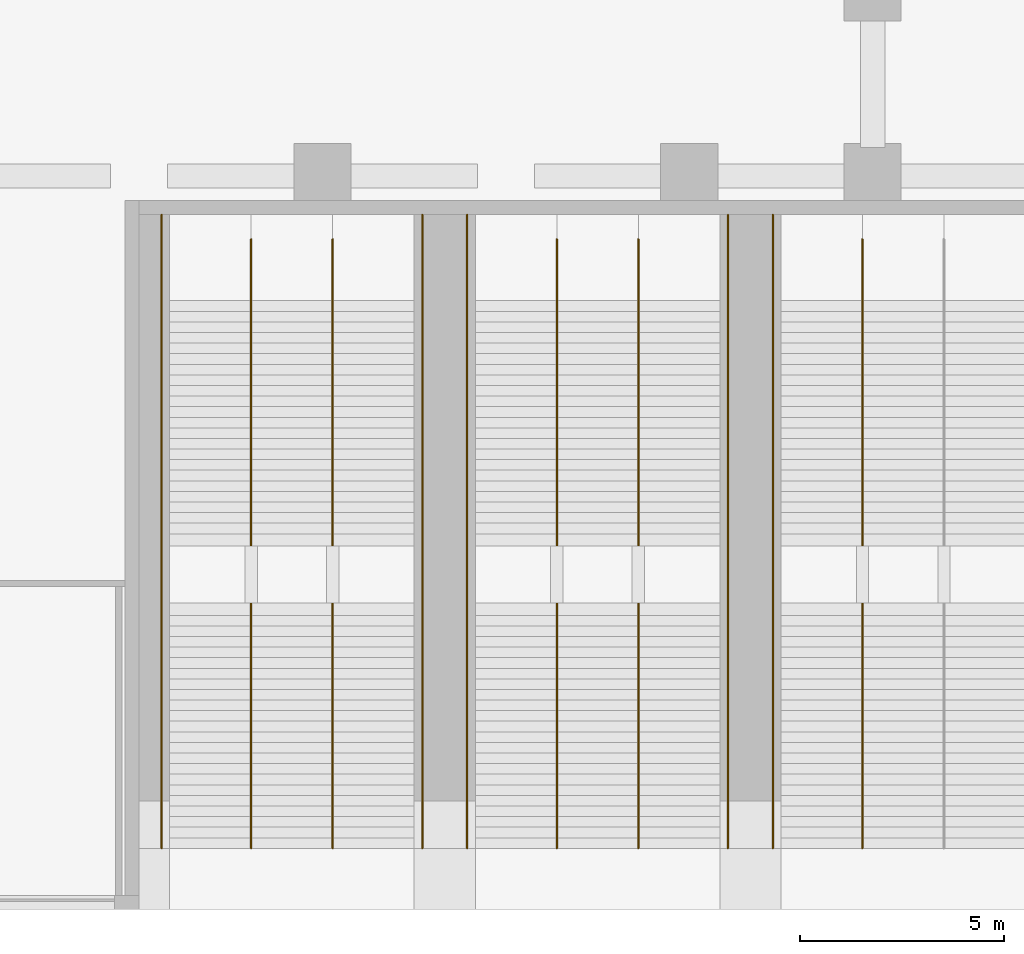
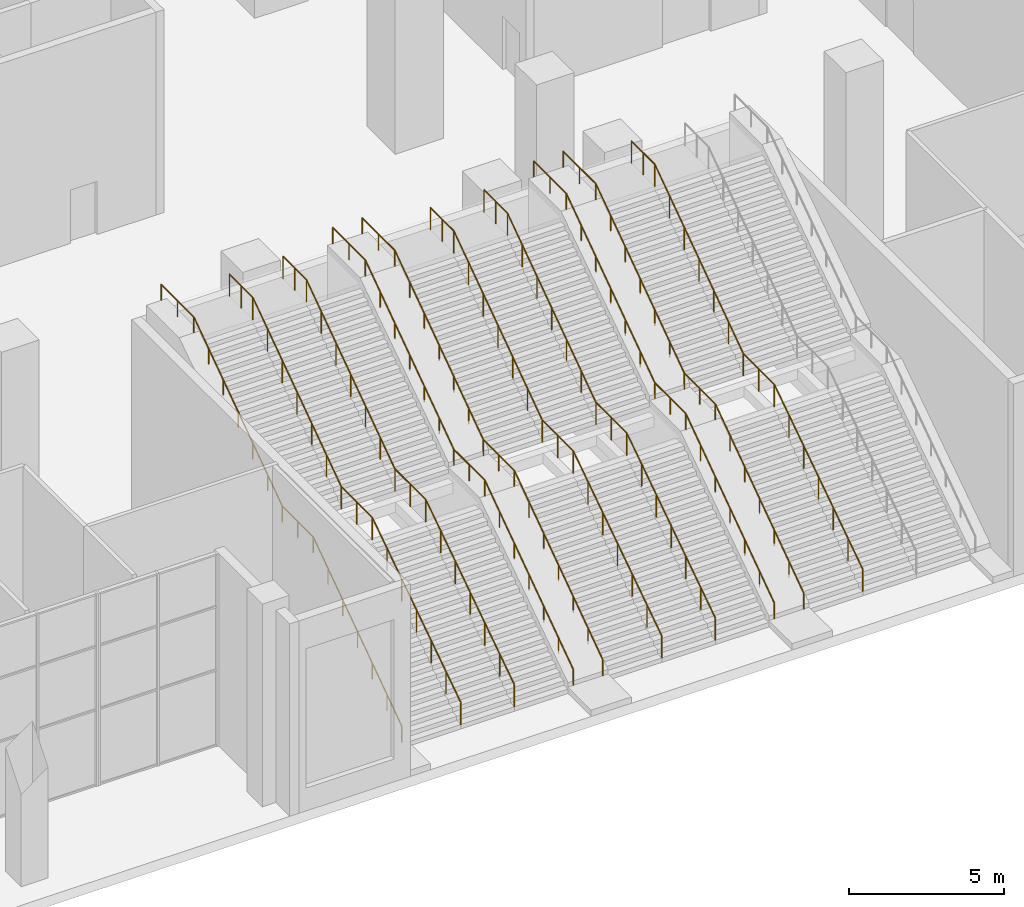
# One storey, part 29 of 32: 10 railings.
"""IFC4 building model written with IfcOpenShell, lengths in metres."""

from ifc_helpers import new_model, si_unit, direction, frame, origin, origin_2d, place, context, subcontext, project, spatial, circle, extrude, material, type_object, element, save


model = new_model("IFC4")

# Units and contexts
model_context = context("Model", 3, precision=1e-05, world=origin(), true_north=direction((0.0, 1.0)))
body_context = subcontext(model_context, "Body", "Model", "MODEL_VIEW")
ifc_project = project(units=[si_unit("LENGTHUNIT", "METRE"), si_unit("AREAUNIT", "SQUARE_METRE"), si_unit("VOLUMEUNIT", "CUBIC_METRE"), si_unit("PLANEANGLEUNIT", "RADIAN"), si_unit("MASSUNIT", "GRAM", prefix="KILO")], contexts=[model_context])

# Site, building, storey
site_placement = place(None, origin())
site = spatial("IfcSite", under=ifc_project, at=site_placement, CompositionType="ELEMENT")
building_placement = place(site_placement, origin())
building = spatial("IfcBuilding", under=site, at=building_placement, Name="Quoin Convention Tower", CompositionType="ELEMENT")
storey_placement = place(building_placement, origin())
storey = spatial("IfcBuildingStorey", under=building, at=storey_placement, Name="L00", CompositionType="ELEMENT", Elevation=0.0)

# Railings
ifc_material = material(Name="Stainless steel", Category="steel")
railing_type_1 = type_object("IfcRailingType", Name="Handrail 900", PredefinedType="HANDRAIL", material=ifc_material)
railing_1_placement = place(storey_placement, frame((43.25, 1.5, 0.173828125)))
element("IfcRailing", 1, at=railing_1_placement, inside=storey, type_object=railing_type_1, Name="bst-rail-1C1", PredefinedType="HANDRAIL", context=body_context, shape_type="SweptSolid", body=[
    extrude(circle(Radius=0.02392578125, at=origin_2d()), frame((0.0, 0.0, 0.8759765625), z_axis=(0.0, 0.831186928685, 0.555993066129), x_axis=(-1.0, 0.0, 0.0)), (0.0, 0.0, 1.0), 6.881591796875),
    extrude(circle(Radius=0.02392578125, at=origin_2d()), frame((0.0, 5.719970703125, 4.7021484375), z_axis=(0.0, 1.0, 0.0), x_axis=(-1.0, 0.0, 0.0)), (0.0, 0.0, 1.0), 2.0),
    extrude(circle(Radius=0.02392578125, at=origin_2d()), frame((0.0, 7.719970703125, 4.7021484375), z_axis=(0.0, 0.81949968286, 0.573079636518), x_axis=(-1.0, 0.0, 0.0)), (0.0, 0.0, 1.0), 6.979736328125),
    extrude(circle(Radius=0.02392578125, at=origin_2d()), frame((0.0, 13.43994140625, 8.7021484375), z_axis=(0.0, 1.0, 0.0), x_axis=(-1.0, 0.0, 0.0)), (0.0, 0.0, 1.0), 1.510009765625),
    extrude(circle(Radius=0.02099609375, at=origin_2d()), origin(), (0.0, 0.0, 1.0), 0.851806640625),
    extrude(circle(Radius=0.02099609375, at=origin_2d()), frame((0.0, 0.953369140625, 0.6376953125)), (0.0, 0.0, 1.0), 0.851806640625),
    extrude(circle(Radius=0.02099609375, at=origin_2d()), frame((0.0, 1.90673828125, 1.275390625)), (0.0, 0.0, 1.0), 0.851806640625),
    extrude(circle(Radius=0.02099609375, at=origin_2d()), frame((0.0, 2.85986328125, 1.9130859375)), (0.0, 0.0, 1.0), 0.851806640625),
    extrude(circle(Radius=0.02099609375, at=origin_2d()), frame((0.0, 3.813232421875, 2.55078125)), (0.0, 0.0, 1.0), 0.851806640625),
    extrude(circle(Radius=0.02099609375, at=origin_2d()), frame((0.0, 4.7666015625, 3.1884765625)), (0.0, 0.0, 1.0), 0.851806640625),
    extrude(circle(Radius=0.02099609375, at=origin_2d()), frame((0.0, 5.719970703125, 3.826171875)), (0.0, 0.0, 1.0), 0.851806640625),
    extrude(circle(Radius=0.02099609375, at=origin_2d()), frame((0.0, 6.719970703125, 3.826171875)), (0.0, 0.0, 1.0), 0.851806640625),
    extrude(circle(Radius=0.02099609375, at=origin_2d()), frame((0.0, 7.719970703125, 3.826171875)), (0.0, 0.0, 1.0), 0.851806640625),
    extrude(circle(Radius=0.02099609375, at=origin_2d()), frame((0.0, 8.67333984375, 4.492919921875)), (0.0, 0.0, 1.0), 0.851806640625),
    extrude(circle(Radius=0.02099609375, at=origin_2d()), frame((0.0, 9.626708984375, 5.159423828125)), (0.0, 0.0, 1.0), 0.851806640625),
    extrude(circle(Radius=0.02099609375, at=origin_2d()), frame((0.0, 10.580078125, 5.826171875)), (0.0, 0.0, 1.0), 0.851806640625),
    extrude(circle(Radius=0.02099609375, at=origin_2d()), frame((0.0, 11.533203125, 6.492919921875)), (0.0, 0.0, 1.0), 0.851806640625),
    extrude(circle(Radius=0.02099609375, at=origin_2d()), frame((0.0, 12.486572265625, 7.159423828125)), (0.0, 0.0, 1.0), 0.851806640625),
    extrude(circle(Radius=0.02099609375, at=origin_2d()), frame((0.0, 13.43994140625, 7.826171875)), (0.0, 0.0, 1.0), 0.851806640625),
    extrude(circle(Radius=0.02099609375, at=origin_2d()), frame((0.0, 14.19482421875, 7.826171875)), (0.0, 0.0, 1.0), 0.851806640625),
    extrude(circle(Radius=0.02099609375, at=origin_2d()), frame((0.0, 14.949951171875, 7.826171875)), (0.0, 0.0, 1.0), 0.851806640625),
])
railing_2_placement = place(storey_placement, frame((45.25, 1.5, 0.173828125)))
element("IfcRailing", 2, at=railing_2_placement, inside=storey, type_object=railing_type_1, Name="bst-rail-1C2", PredefinedType="HANDRAIL", context=body_context, shape_type="SweptSolid", body=[
    extrude(circle(Radius=0.02392578125, at=origin_2d()), frame((0.0, 0.0, 0.8759765625), z_axis=(0.0, 0.831186928685, 0.555993066129), x_axis=(-1.0, 0.0, 0.0)), (0.0, 0.0, 1.0), 6.881591796875),
    extrude(circle(Radius=0.02392578125, at=origin_2d()), frame((0.0, 5.719970703125, 4.7021484375), z_axis=(0.0, 1.0, 0.0), x_axis=(-1.0, 0.0, 0.0)), (0.0, 0.0, 1.0), 2.0),
    extrude(circle(Radius=0.02392578125, at=origin_2d()), frame((0.0, 7.719970703125, 4.7021484375), z_axis=(0.0, 0.81949968286, 0.573079636518), x_axis=(-1.0, 0.0, 0.0)), (0.0, 0.0, 1.0), 6.979736328125),
    extrude(circle(Radius=0.02392578125, at=origin_2d()), frame((0.0, 13.43994140625, 8.7021484375), z_axis=(0.0, 1.0, 0.0), x_axis=(-1.0, 0.0, 0.0)), (0.0, 0.0, 1.0), 1.510009765625),
    extrude(circle(Radius=0.02099609375, at=origin_2d()), origin(), (0.0, 0.0, 1.0), 0.851806640625),
    extrude(circle(Radius=0.02099609375, at=origin_2d()), frame((0.0, 0.953369140625, 0.6376953125)), (0.0, 0.0, 1.0), 0.851806640625),
    extrude(circle(Radius=0.02099609375, at=origin_2d()), frame((0.0, 1.90673828125, 1.275390625)), (0.0, 0.0, 1.0), 0.851806640625),
    extrude(circle(Radius=0.02099609375, at=origin_2d()), frame((0.0, 2.85986328125, 1.9130859375)), (0.0, 0.0, 1.0), 0.851806640625),
    extrude(circle(Radius=0.02099609375, at=origin_2d()), frame((0.0, 3.813232421875, 2.55078125)), (0.0, 0.0, 1.0), 0.851806640625),
    extrude(circle(Radius=0.02099609375, at=origin_2d()), frame((0.0, 4.7666015625, 3.1884765625)), (0.0, 0.0, 1.0), 0.851806640625),
    extrude(circle(Radius=0.02099609375, at=origin_2d()), frame((0.0, 5.719970703125, 3.826171875)), (0.0, 0.0, 1.0), 0.851806640625),
    extrude(circle(Radius=0.02099609375, at=origin_2d()), frame((0.0, 6.719970703125, 3.826171875)), (0.0, 0.0, 1.0), 0.851806640625),
    extrude(circle(Radius=0.02099609375, at=origin_2d()), frame((0.0, 7.719970703125, 3.826171875)), (0.0, 0.0, 1.0), 0.851806640625),
    extrude(circle(Radius=0.02099609375, at=origin_2d()), frame((0.0, 8.67333984375, 4.492919921875)), (0.0, 0.0, 1.0), 0.851806640625),
    extrude(circle(Radius=0.02099609375, at=origin_2d()), frame((0.0, 9.626708984375, 5.159423828125)), (0.0, 0.0, 1.0), 0.851806640625),
    extrude(circle(Radius=0.02099609375, at=origin_2d()), frame((0.0, 10.580078125, 5.826171875)), (0.0, 0.0, 1.0), 0.851806640625),
    extrude(circle(Radius=0.02099609375, at=origin_2d()), frame((0.0, 11.533203125, 6.492919921875)), (0.0, 0.0, 1.0), 0.851806640625),
    extrude(circle(Radius=0.02099609375, at=origin_2d()), frame((0.0, 12.486572265625, 7.159423828125)), (0.0, 0.0, 1.0), 0.851806640625),
    extrude(circle(Radius=0.02099609375, at=origin_2d()), frame((0.0, 13.43994140625, 7.826171875)), (0.0, 0.0, 1.0), 0.851806640625),
    extrude(circle(Radius=0.02099609375, at=origin_2d()), frame((0.0, 14.19482421875, 7.826171875)), (0.0, 0.0, 1.0), 0.851806640625),
    extrude(circle(Radius=0.02099609375, at=origin_2d()), frame((0.0, 14.949951171875, 7.826171875)), (0.0, 0.0, 1.0), 0.851806640625),
])
railing_3_placement = place(storey_placement, frame((50.75, 1.5, 0.173828125)))
element("IfcRailing", 3, at=railing_3_placement, inside=storey, type_object=railing_type_1, Name="bst-rail-2C1", PredefinedType="HANDRAIL", context=body_context, shape_type="SweptSolid", body=[
    extrude(circle(Radius=0.02392578125, at=origin_2d()), frame((0.0, 0.0, 0.8759765625), z_axis=(0.0, 0.831186928685, 0.555993066129), x_axis=(-1.0, 0.0, 0.0)), (0.0, 0.0, 1.0), 6.881591796875),
    extrude(circle(Radius=0.02392578125, at=origin_2d()), frame((0.0, 5.719970703125, 4.7021484375), z_axis=(0.0, 1.0, 0.0), x_axis=(-1.0, 0.0, 0.0)), (0.0, 0.0, 1.0), 2.0),
    extrude(circle(Radius=0.02392578125, at=origin_2d()), frame((0.0, 7.719970703125, 4.7021484375), z_axis=(0.0, 0.81949968286, 0.573079636518), x_axis=(-1.0, 0.0, 0.0)), (0.0, 0.0, 1.0), 6.979736328125),
    extrude(circle(Radius=0.02392578125, at=origin_2d()), frame((0.0, 13.43994140625, 8.7021484375), z_axis=(0.0, 1.0, 0.0), x_axis=(-1.0, 0.0, 0.0)), (0.0, 0.0, 1.0), 1.510009765625),
    extrude(circle(Radius=0.02099609375, at=origin_2d()), origin(), (0.0, 0.0, 1.0), 0.851806640625),
    extrude(circle(Radius=0.02099609375, at=origin_2d()), frame((0.0, 0.953369140625, 0.6376953125)), (0.0, 0.0, 1.0), 0.851806640625),
    extrude(circle(Radius=0.02099609375, at=origin_2d()), frame((0.0, 1.90673828125, 1.275390625)), (0.0, 0.0, 1.0), 0.851806640625),
    extrude(circle(Radius=0.02099609375, at=origin_2d()), frame((0.0, 2.85986328125, 1.9130859375)), (0.0, 0.0, 1.0), 0.851806640625),
    extrude(circle(Radius=0.02099609375, at=origin_2d()), frame((0.0, 3.813232421875, 2.55078125)), (0.0, 0.0, 1.0), 0.851806640625),
    extrude(circle(Radius=0.02099609375, at=origin_2d()), frame((0.0, 4.7666015625, 3.1884765625)), (0.0, 0.0, 1.0), 0.851806640625),
    extrude(circle(Radius=0.02099609375, at=origin_2d()), frame((0.0, 5.719970703125, 3.826171875)), (0.0, 0.0, 1.0), 0.851806640625),
    extrude(circle(Radius=0.02099609375, at=origin_2d()), frame((0.0, 6.719970703125, 3.826171875)), (0.0, 0.0, 1.0), 0.851806640625),
    extrude(circle(Radius=0.02099609375, at=origin_2d()), frame((0.0, 7.719970703125, 3.826171875)), (0.0, 0.0, 1.0), 0.851806640625),
    extrude(circle(Radius=0.02099609375, at=origin_2d()), frame((0.0, 8.67333984375, 4.492919921875)), (0.0, 0.0, 1.0), 0.851806640625),
    extrude(circle(Radius=0.02099609375, at=origin_2d()), frame((0.0, 9.626708984375, 5.159423828125)), (0.0, 0.0, 1.0), 0.851806640625),
    extrude(circle(Radius=0.02099609375, at=origin_2d()), frame((0.0, 10.580078125, 5.826171875)), (0.0, 0.0, 1.0), 0.851806640625),
    extrude(circle(Radius=0.02099609375, at=origin_2d()), frame((0.0, 11.533203125, 6.492919921875)), (0.0, 0.0, 1.0), 0.851806640625),
    extrude(circle(Radius=0.02099609375, at=origin_2d()), frame((0.0, 12.486572265625, 7.159423828125)), (0.0, 0.0, 1.0), 0.851806640625),
    extrude(circle(Radius=0.02099609375, at=origin_2d()), frame((0.0, 13.43994140625, 7.826171875)), (0.0, 0.0, 1.0), 0.851806640625),
    extrude(circle(Radius=0.02099609375, at=origin_2d()), frame((0.0, 14.19482421875, 7.826171875)), (0.0, 0.0, 1.0), 0.851806640625),
    extrude(circle(Radius=0.02099609375, at=origin_2d()), frame((0.0, 14.949951171875, 7.826171875)), (0.0, 0.0, 1.0), 0.851806640625),
])
railing_4_placement = place(storey_placement, frame((52.75, 1.5, 0.173828125)))
element("IfcRailing", 4, at=railing_4_placement, inside=storey, type_object=railing_type_1, Name="bst-rail-2C2", PredefinedType="HANDRAIL", context=body_context, shape_type="SweptSolid", body=[
    extrude(circle(Radius=0.02392578125, at=origin_2d()), frame((0.0, 0.0, 0.8759765625), z_axis=(0.0, 0.831186928685, 0.555993066129), x_axis=(-1.0, 0.0, 0.0)), (0.0, 0.0, 1.0), 6.881591796875),
    extrude(circle(Radius=0.02392578125, at=origin_2d()), frame((0.0, 5.719970703125, 4.7021484375), z_axis=(0.0, 1.0, 0.0), x_axis=(-1.0, 0.0, 0.0)), (0.0, 0.0, 1.0), 2.0),
    extrude(circle(Radius=0.02392578125, at=origin_2d()), frame((0.0, 7.719970703125, 4.7021484375), z_axis=(0.0, 0.81949968286, 0.573079636518), x_axis=(-1.0, 0.0, 0.0)), (0.0, 0.0, 1.0), 6.979736328125),
    extrude(circle(Radius=0.02392578125, at=origin_2d()), frame((0.0, 13.43994140625, 8.7021484375), z_axis=(0.0, 1.0, 0.0), x_axis=(-1.0, 0.0, 0.0)), (0.0, 0.0, 1.0), 1.510009765625),
    extrude(circle(Radius=0.02099609375, at=origin_2d()), origin(), (0.0, 0.0, 1.0), 0.851806640625),
    extrude(circle(Radius=0.02099609375, at=origin_2d()), frame((0.0, 0.953369140625, 0.6376953125)), (0.0, 0.0, 1.0), 0.851806640625),
    extrude(circle(Radius=0.02099609375, at=origin_2d()), frame((0.0, 1.90673828125, 1.275390625)), (0.0, 0.0, 1.0), 0.851806640625),
    extrude(circle(Radius=0.02099609375, at=origin_2d()), frame((0.0, 2.85986328125, 1.9130859375)), (0.0, 0.0, 1.0), 0.851806640625),
    extrude(circle(Radius=0.02099609375, at=origin_2d()), frame((0.0, 3.813232421875, 2.55078125)), (0.0, 0.0, 1.0), 0.851806640625),
    extrude(circle(Radius=0.02099609375, at=origin_2d()), frame((0.0, 4.7666015625, 3.1884765625)), (0.0, 0.0, 1.0), 0.851806640625),
    extrude(circle(Radius=0.02099609375, at=origin_2d()), frame((0.0, 5.719970703125, 3.826171875)), (0.0, 0.0, 1.0), 0.851806640625),
    extrude(circle(Radius=0.02099609375, at=origin_2d()), frame((0.0, 6.719970703125, 3.826171875)), (0.0, 0.0, 1.0), 0.851806640625),
    extrude(circle(Radius=0.02099609375, at=origin_2d()), frame((0.0, 7.719970703125, 3.826171875)), (0.0, 0.0, 1.0), 0.851806640625),
    extrude(circle(Radius=0.02099609375, at=origin_2d()), frame((0.0, 8.67333984375, 4.492919921875)), (0.0, 0.0, 1.0), 0.851806640625),
    extrude(circle(Radius=0.02099609375, at=origin_2d()), frame((0.0, 9.626708984375, 5.159423828125)), (0.0, 0.0, 1.0), 0.851806640625),
    extrude(circle(Radius=0.02099609375, at=origin_2d()), frame((0.0, 10.580078125, 5.826171875)), (0.0, 0.0, 1.0), 0.851806640625),
    extrude(circle(Radius=0.02099609375, at=origin_2d()), frame((0.0, 11.533203125, 6.492919921875)), (0.0, 0.0, 1.0), 0.851806640625),
    extrude(circle(Radius=0.02099609375, at=origin_2d()), frame((0.0, 12.486572265625, 7.159423828125)), (0.0, 0.0, 1.0), 0.851806640625),
    extrude(circle(Radius=0.02099609375, at=origin_2d()), frame((0.0, 13.43994140625, 7.826171875)), (0.0, 0.0, 1.0), 0.851806640625),
    extrude(circle(Radius=0.02099609375, at=origin_2d()), frame((0.0, 14.19482421875, 7.826171875)), (0.0, 0.0, 1.0), 0.851806640625),
    extrude(circle(Radius=0.02099609375, at=origin_2d()), frame((0.0, 14.949951171875, 7.826171875)), (0.0, 0.0, 1.0), 0.851806640625),
])
railing_5_placement = place(storey_placement, frame((58.25, 1.5, 0.173828125)))
element("IfcRailing", 5, at=railing_5_placement, inside=storey, type_object=railing_type_1, Name="bst-rail-3C1", PredefinedType="HANDRAIL", context=body_context, shape_type="SweptSolid", body=[
    extrude(circle(Radius=0.02392578125, at=origin_2d()), frame((0.0, 0.0, 0.8759765625), z_axis=(0.0, 0.831186928685, 0.555993066129), x_axis=(-1.0, 0.0, 0.0)), (0.0, 0.0, 1.0), 6.881591796875),
    extrude(circle(Radius=0.02392578125, at=origin_2d()), frame((0.0, 5.719970703125, 4.7021484375), z_axis=(0.0, 1.0, 0.0), x_axis=(-1.0, 0.0, 0.0)), (0.0, 0.0, 1.0), 2.0),
    extrude(circle(Radius=0.02392578125, at=origin_2d()), frame((0.0, 7.719970703125, 4.7021484375), z_axis=(0.0, 0.81949968286, 0.573079636518), x_axis=(-1.0, 0.0, 0.0)), (0.0, 0.0, 1.0), 6.979736328125),
    extrude(circle(Radius=0.02392578125, at=origin_2d()), frame((0.0, 13.43994140625, 8.7021484375), z_axis=(0.0, 1.0, 0.0), x_axis=(-1.0, 0.0, 0.0)), (0.0, 0.0, 1.0), 1.510009765625),
    extrude(circle(Radius=0.02099609375, at=origin_2d()), origin(), (0.0, 0.0, 1.0), 0.851806640625),
    extrude(circle(Radius=0.02099609375, at=origin_2d()), frame((0.0, 0.953369140625, 0.6376953125)), (0.0, 0.0, 1.0), 0.851806640625),
    extrude(circle(Radius=0.02099609375, at=origin_2d()), frame((0.0, 1.90673828125, 1.275390625)), (0.0, 0.0, 1.0), 0.851806640625),
    extrude(circle(Radius=0.02099609375, at=origin_2d()), frame((0.0, 2.85986328125, 1.9130859375)), (0.0, 0.0, 1.0), 0.851806640625),
    extrude(circle(Radius=0.02099609375, at=origin_2d()), frame((0.0, 3.813232421875, 2.55078125)), (0.0, 0.0, 1.0), 0.851806640625),
    extrude(circle(Radius=0.02099609375, at=origin_2d()), frame((0.0, 4.7666015625, 3.1884765625)), (0.0, 0.0, 1.0), 0.851806640625),
    extrude(circle(Radius=0.02099609375, at=origin_2d()), frame((0.0, 5.719970703125, 3.826171875)), (0.0, 0.0, 1.0), 0.851806640625),
    extrude(circle(Radius=0.02099609375, at=origin_2d()), frame((0.0, 6.719970703125, 3.826171875)), (0.0, 0.0, 1.0), 0.851806640625),
    extrude(circle(Radius=0.02099609375, at=origin_2d()), frame((0.0, 7.719970703125, 3.826171875)), (0.0, 0.0, 1.0), 0.851806640625),
    extrude(circle(Radius=0.02099609375, at=origin_2d()), frame((0.0, 8.67333984375, 4.492919921875)), (0.0, 0.0, 1.0), 0.851806640625),
    extrude(circle(Radius=0.02099609375, at=origin_2d()), frame((0.0, 9.626708984375, 5.159423828125)), (0.0, 0.0, 1.0), 0.851806640625),
    extrude(circle(Radius=0.02099609375, at=origin_2d()), frame((0.0, 10.580078125, 5.826171875)), (0.0, 0.0, 1.0), 0.851806640625),
    extrude(circle(Radius=0.02099609375, at=origin_2d()), frame((0.0, 11.533203125, 6.492919921875)), (0.0, 0.0, 1.0), 0.851806640625),
    extrude(circle(Radius=0.02099609375, at=origin_2d()), frame((0.0, 12.486572265625, 7.159423828125)), (0.0, 0.0, 1.0), 0.851806640625),
    extrude(circle(Radius=0.02099609375, at=origin_2d()), frame((0.0, 13.43994140625, 7.826171875)), (0.0, 0.0, 1.0), 0.851806640625),
    extrude(circle(Radius=0.02099609375, at=origin_2d()), frame((0.0, 14.19482421875, 7.826171875)), (0.0, 0.0, 1.0), 0.851806640625),
    extrude(circle(Radius=0.02099609375, at=origin_2d()), frame((0.0, 14.949951171875, 7.826171875)), (0.0, 0.0, 1.0), 0.851806640625),
])
railing_type_2 = type_object("IfcRailingType", Name="Stair wall rail 650", PredefinedType="HANDRAIL", material=ifc_material)
railing_6_placement = place(storey_placement, frame((41.050048828125, 1.5, 0.25)))
element("IfcRailing", 6, at=railing_6_placement, inside=storey, type_object=railing_type_2, Name="bst-rail-1L", PredefinedType="HANDRAIL", context=body_context, shape_type="SweptSolid", body=[
    extrude(circle(Radius=0.02392578125, at=origin_2d()), frame((0.0, 0.0, 0.6259765625), z_axis=(0.0, 0.81949968286, 0.573079636518), x_axis=(-1.0, 0.0, 0.0)), (0.0, 0.0, 1.0), 6.979736328125),
    extrude(circle(Radius=0.02392578125, at=origin_2d()), frame((0.0, 5.719970703125, 4.6259765625), z_axis=(0.0, 1.0, 0.0), x_axis=(-1.0, 0.0, 0.0)), (0.0, 0.0, 1.0), 2.0),
    extrude(circle(Radius=0.02392578125, at=origin_2d()), frame((0.0, 7.719970703125, 4.6259765625), z_axis=(0.0, 0.81949968286, 0.573079636518), x_axis=(-1.0, 0.0, 0.0)), (0.0, 0.0, 1.0), 6.979736328125),
    extrude(circle(Radius=0.02392578125, at=origin_2d()), frame((0.0, 13.43994140625, 8.6259765625), z_axis=(0.0, 1.0, 0.0), x_axis=(-1.0, 0.0, 0.0)), (0.0, 0.0, 1.0), 2.110107421875),
    extrude(circle(Radius=0.02099609375, at=origin_2d()), origin(), (0.0, 0.0, 1.0), 0.601806640625),
    extrude(circle(Radius=0.02099609375, at=origin_2d()), frame((0.0, 0.953369140625, 0.666748046875)), (0.0, 0.0, 1.0), 0.601806640625),
    extrude(circle(Radius=0.02099609375, at=origin_2d()), frame((0.0, 1.90673828125, 1.333251953125)), (0.0, 0.0, 1.0), 0.601806640625),
    extrude(circle(Radius=0.02099609375, at=origin_2d()), frame((0.0, 2.85986328125, 2.0)), (0.0, 0.0, 1.0), 0.601806640625),
    extrude(circle(Radius=0.02099609375, at=origin_2d()), frame((0.0, 3.813232421875, 2.666748046875)), (0.0, 0.0, 1.0), 0.601806640625),
    extrude(circle(Radius=0.02099609375, at=origin_2d()), frame((0.0, 4.7666015625, 3.333251953125)), (0.0, 0.0, 1.0), 0.601806640625),
    extrude(circle(Radius=0.02099609375, at=origin_2d()), frame((0.0, 5.719970703125, 4.0)), (0.0, 0.0, 1.0), 0.601806640625),
    extrude(circle(Radius=0.02099609375, at=origin_2d()), frame((0.0, 6.719970703125, 4.0)), (0.0, 0.0, 1.0), 0.601806640625),
    extrude(circle(Radius=0.02099609375, at=origin_2d()), frame((0.0, 7.719970703125, 4.0)), (0.0, 0.0, 1.0), 0.601806640625),
    extrude(circle(Radius=0.02099609375, at=origin_2d()), frame((0.0, 8.67333984375, 4.666748046875)), (0.0, 0.0, 1.0), 0.601806640625),
    extrude(circle(Radius=0.02099609375, at=origin_2d()), frame((0.0, 9.626708984375, 5.333251953125)), (0.0, 0.0, 1.0), 0.601806640625),
    extrude(circle(Radius=0.02099609375, at=origin_2d()), frame((0.0, 10.580078125, 6.0)), (0.0, 0.0, 1.0), 0.601806640625),
    extrude(circle(Radius=0.02099609375, at=origin_2d()), frame((0.0, 11.533203125, 6.666748046875)), (0.0, 0.0, 1.0), 0.601806640625),
    extrude(circle(Radius=0.02099609375, at=origin_2d()), frame((0.0, 12.486572265625, 7.333251953125)), (0.0, 0.0, 1.0), 0.601806640625),
    extrude(circle(Radius=0.02099609375, at=origin_2d()), frame((0.0, 13.43994140625, 8.0)), (0.0, 0.0, 1.0), 0.601806640625),
    extrude(circle(Radius=0.02099609375, at=origin_2d()), frame((0.0, 14.4951171875, 8.0)), (0.0, 0.0, 1.0), 0.601806640625),
    extrude(circle(Radius=0.02099609375, at=origin_2d()), frame((0.0, 15.550048828125, 8.0)), (0.0, 0.0, 1.0), 0.601806640625),
])
railing_7_placement = place(storey_placement, frame((47.449951171875, 1.5, 0.25)))
element("IfcRailing", 7, at=railing_7_placement, inside=storey, type_object=railing_type_2, Name="bst-rail-1R", PredefinedType="HANDRAIL", context=body_context, shape_type="SweptSolid", body=[
    extrude(circle(Radius=0.02392578125, at=origin_2d()), frame((0.0, 0.0, 0.6259765625), z_axis=(0.0, 0.81949968286, 0.573079636518), x_axis=(-1.0, 0.0, 0.0)), (0.0, 0.0, 1.0), 6.979736328125),
    extrude(circle(Radius=0.02392578125, at=origin_2d()), frame((0.0, 5.719970703125, 4.6259765625), z_axis=(0.0, 1.0, 0.0), x_axis=(-1.0, 0.0, 0.0)), (0.0, 0.0, 1.0), 2.0),
    extrude(circle(Radius=0.02392578125, at=origin_2d()), frame((0.0, 7.719970703125, 4.6259765625), z_axis=(0.0, 0.81949968286, 0.573079636518), x_axis=(-1.0, 0.0, 0.0)), (0.0, 0.0, 1.0), 6.979736328125),
    extrude(circle(Radius=0.02392578125, at=origin_2d()), frame((0.0, 13.43994140625, 8.6259765625), z_axis=(0.0, 1.0, 0.0), x_axis=(-1.0, 0.0, 0.0)), (0.0, 0.0, 1.0), 2.110107421875),
    extrude(circle(Radius=0.02099609375, at=origin_2d()), origin(), (0.0, 0.0, 1.0), 0.601806640625),
    extrude(circle(Radius=0.02099609375, at=origin_2d()), frame((0.0, 0.953369140625, 0.666748046875)), (0.0, 0.0, 1.0), 0.601806640625),
    extrude(circle(Radius=0.02099609375, at=origin_2d()), frame((0.0, 1.90673828125, 1.333251953125)), (0.0, 0.0, 1.0), 0.601806640625),
    extrude(circle(Radius=0.02099609375, at=origin_2d()), frame((0.0, 2.85986328125, 2.0)), (0.0, 0.0, 1.0), 0.601806640625),
    extrude(circle(Radius=0.02099609375, at=origin_2d()), frame((0.0, 3.813232421875, 2.666748046875)), (0.0, 0.0, 1.0), 0.601806640625),
    extrude(circle(Radius=0.02099609375, at=origin_2d()), frame((0.0, 4.7666015625, 3.333251953125)), (0.0, 0.0, 1.0), 0.601806640625),
    extrude(circle(Radius=0.02099609375, at=origin_2d()), frame((0.0, 5.719970703125, 4.0)), (0.0, 0.0, 1.0), 0.601806640625),
    extrude(circle(Radius=0.02099609375, at=origin_2d()), frame((0.0, 6.719970703125, 4.0)), (0.0, 0.0, 1.0), 0.601806640625),
    extrude(circle(Radius=0.02099609375, at=origin_2d()), frame((0.0, 7.719970703125, 4.0)), (0.0, 0.0, 1.0), 0.601806640625),
    extrude(circle(Radius=0.02099609375, at=origin_2d()), frame((0.0, 8.67333984375, 4.666748046875)), (0.0, 0.0, 1.0), 0.601806640625),
    extrude(circle(Radius=0.02099609375, at=origin_2d()), frame((0.0, 9.626708984375, 5.333251953125)), (0.0, 0.0, 1.0), 0.601806640625),
    extrude(circle(Radius=0.02099609375, at=origin_2d()), frame((0.0, 10.580078125, 6.0)), (0.0, 0.0, 1.0), 0.601806640625),
    extrude(circle(Radius=0.02099609375, at=origin_2d()), frame((0.0, 11.533203125, 6.666748046875)), (0.0, 0.0, 1.0), 0.601806640625),
    extrude(circle(Radius=0.02099609375, at=origin_2d()), frame((0.0, 12.486572265625, 7.333251953125)), (0.0, 0.0, 1.0), 0.601806640625),
    extrude(circle(Radius=0.02099609375, at=origin_2d()), frame((0.0, 13.43994140625, 8.0)), (0.0, 0.0, 1.0), 0.601806640625),
    extrude(circle(Radius=0.02099609375, at=origin_2d()), frame((0.0, 14.4951171875, 8.0)), (0.0, 0.0, 1.0), 0.601806640625),
    extrude(circle(Radius=0.02099609375, at=origin_2d()), frame((0.0, 15.550048828125, 8.0)), (0.0, 0.0, 1.0), 0.601806640625),
])
railing_8_placement = place(storey_placement, frame((48.550048828125, 1.5, 0.25)))
element("IfcRailing", 8, at=railing_8_placement, inside=storey, type_object=railing_type_2, Name="bst-rail-2L", PredefinedType="HANDRAIL", context=body_context, shape_type="SweptSolid", body=[
    extrude(circle(Radius=0.02392578125, at=origin_2d()), frame((0.0, 0.0, 0.6259765625), z_axis=(0.0, 0.81949968286, 0.573079636518), x_axis=(-1.0, 0.0, 0.0)), (0.0, 0.0, 1.0), 6.979736328125),
    extrude(circle(Radius=0.02392578125, at=origin_2d()), frame((0.0, 5.719970703125, 4.6259765625), z_axis=(0.0, 1.0, 0.0), x_axis=(-1.0, 0.0, 0.0)), (0.0, 0.0, 1.0), 2.0),
    extrude(circle(Radius=0.02392578125, at=origin_2d()), frame((0.0, 7.719970703125, 4.6259765625), z_axis=(0.0, 0.81949968286, 0.573079636518), x_axis=(-1.0, 0.0, 0.0)), (0.0, 0.0, 1.0), 6.979736328125),
    extrude(circle(Radius=0.02392578125, at=origin_2d()), frame((0.0, 13.43994140625, 8.6259765625), z_axis=(0.0, 1.0, 0.0), x_axis=(-1.0, 0.0, 0.0)), (0.0, 0.0, 1.0), 2.110107421875),
    extrude(circle(Radius=0.02099609375, at=origin_2d()), origin(), (0.0, 0.0, 1.0), 0.601806640625),
    extrude(circle(Radius=0.02099609375, at=origin_2d()), frame((0.0, 0.953369140625, 0.666748046875)), (0.0, 0.0, 1.0), 0.601806640625),
    extrude(circle(Radius=0.02099609375, at=origin_2d()), frame((0.0, 1.90673828125, 1.333251953125)), (0.0, 0.0, 1.0), 0.601806640625),
    extrude(circle(Radius=0.02099609375, at=origin_2d()), frame((0.0, 2.85986328125, 2.0)), (0.0, 0.0, 1.0), 0.601806640625),
    extrude(circle(Radius=0.02099609375, at=origin_2d()), frame((0.0, 3.813232421875, 2.666748046875)), (0.0, 0.0, 1.0), 0.601806640625),
    extrude(circle(Radius=0.02099609375, at=origin_2d()), frame((0.0, 4.7666015625, 3.333251953125)), (0.0, 0.0, 1.0), 0.601806640625),
    extrude(circle(Radius=0.02099609375, at=origin_2d()), frame((0.0, 5.719970703125, 4.0)), (0.0, 0.0, 1.0), 0.601806640625),
    extrude(circle(Radius=0.02099609375, at=origin_2d()), frame((0.0, 6.719970703125, 4.0)), (0.0, 0.0, 1.0), 0.601806640625),
    extrude(circle(Radius=0.02099609375, at=origin_2d()), frame((0.0, 7.719970703125, 4.0)), (0.0, 0.0, 1.0), 0.601806640625),
    extrude(circle(Radius=0.02099609375, at=origin_2d()), frame((0.0, 8.67333984375, 4.666748046875)), (0.0, 0.0, 1.0), 0.601806640625),
    extrude(circle(Radius=0.02099609375, at=origin_2d()), frame((0.0, 9.626708984375, 5.333251953125)), (0.0, 0.0, 1.0), 0.601806640625),
    extrude(circle(Radius=0.02099609375, at=origin_2d()), frame((0.0, 10.580078125, 6.0)), (0.0, 0.0, 1.0), 0.601806640625),
    extrude(circle(Radius=0.02099609375, at=origin_2d()), frame((0.0, 11.533203125, 6.666748046875)), (0.0, 0.0, 1.0), 0.601806640625),
    extrude(circle(Radius=0.02099609375, at=origin_2d()), frame((0.0, 12.486572265625, 7.333251953125)), (0.0, 0.0, 1.0), 0.601806640625),
    extrude(circle(Radius=0.02099609375, at=origin_2d()), frame((0.0, 13.43994140625, 8.0)), (0.0, 0.0, 1.0), 0.601806640625),
    extrude(circle(Radius=0.02099609375, at=origin_2d()), frame((0.0, 14.4951171875, 8.0)), (0.0, 0.0, 1.0), 0.601806640625),
    extrude(circle(Radius=0.02099609375, at=origin_2d()), frame((0.0, 15.550048828125, 8.0)), (0.0, 0.0, 1.0), 0.601806640625),
])
railing_9_placement = place(storey_placement, frame((54.949951171875, 1.5, 0.25)))
element("IfcRailing", 9, at=railing_9_placement, inside=storey, type_object=railing_type_2, Name="bst-rail-2R", PredefinedType="HANDRAIL", context=body_context, shape_type="SweptSolid", body=[
    extrude(circle(Radius=0.02392578125, at=origin_2d()), frame((0.0, 0.0, 0.6259765625), z_axis=(0.0, 0.81949968286, 0.573079636518), x_axis=(-1.0, 0.0, 0.0)), (0.0, 0.0, 1.0), 6.979736328125),
    extrude(circle(Radius=0.02392578125, at=origin_2d()), frame((0.0, 5.719970703125, 4.6259765625), z_axis=(0.0, 1.0, 0.0), x_axis=(-1.0, 0.0, 0.0)), (0.0, 0.0, 1.0), 2.0),
    extrude(circle(Radius=0.02392578125, at=origin_2d()), frame((0.0, 7.719970703125, 4.6259765625), z_axis=(0.0, 0.81949968286, 0.573079636518), x_axis=(-1.0, 0.0, 0.0)), (0.0, 0.0, 1.0), 6.979736328125),
    extrude(circle(Radius=0.02392578125, at=origin_2d()), frame((0.0, 13.43994140625, 8.6259765625), z_axis=(0.0, 1.0, 0.0), x_axis=(-1.0, 0.0, 0.0)), (0.0, 0.0, 1.0), 2.110107421875),
    extrude(circle(Radius=0.02099609375, at=origin_2d()), origin(), (0.0, 0.0, 1.0), 0.601806640625),
    extrude(circle(Radius=0.02099609375, at=origin_2d()), frame((0.0, 0.953369140625, 0.666748046875)), (0.0, 0.0, 1.0), 0.601806640625),
    extrude(circle(Radius=0.02099609375, at=origin_2d()), frame((0.0, 1.90673828125, 1.333251953125)), (0.0, 0.0, 1.0), 0.601806640625),
    extrude(circle(Radius=0.02099609375, at=origin_2d()), frame((0.0, 2.85986328125, 2.0)), (0.0, 0.0, 1.0), 0.601806640625),
    extrude(circle(Radius=0.02099609375, at=origin_2d()), frame((0.0, 3.813232421875, 2.666748046875)), (0.0, 0.0, 1.0), 0.601806640625),
    extrude(circle(Radius=0.02099609375, at=origin_2d()), frame((0.0, 4.7666015625, 3.333251953125)), (0.0, 0.0, 1.0), 0.601806640625),
    extrude(circle(Radius=0.02099609375, at=origin_2d()), frame((0.0, 5.719970703125, 4.0)), (0.0, 0.0, 1.0), 0.601806640625),
    extrude(circle(Radius=0.02099609375, at=origin_2d()), frame((0.0, 6.719970703125, 4.0)), (0.0, 0.0, 1.0), 0.601806640625),
    extrude(circle(Radius=0.02099609375, at=origin_2d()), frame((0.0, 7.719970703125, 4.0)), (0.0, 0.0, 1.0), 0.601806640625),
    extrude(circle(Radius=0.02099609375, at=origin_2d()), frame((0.0, 8.67333984375, 4.666748046875)), (0.0, 0.0, 1.0), 0.601806640625),
    extrude(circle(Radius=0.02099609375, at=origin_2d()), frame((0.0, 9.626708984375, 5.333251953125)), (0.0, 0.0, 1.0), 0.601806640625),
    extrude(circle(Radius=0.02099609375, at=origin_2d()), frame((0.0, 10.580078125, 6.0)), (0.0, 0.0, 1.0), 0.601806640625),
    extrude(circle(Radius=0.02099609375, at=origin_2d()), frame((0.0, 11.533203125, 6.666748046875)), (0.0, 0.0, 1.0), 0.601806640625),
    extrude(circle(Radius=0.02099609375, at=origin_2d()), frame((0.0, 12.486572265625, 7.333251953125)), (0.0, 0.0, 1.0), 0.601806640625),
    extrude(circle(Radius=0.02099609375, at=origin_2d()), frame((0.0, 13.43994140625, 8.0)), (0.0, 0.0, 1.0), 0.601806640625),
    extrude(circle(Radius=0.02099609375, at=origin_2d()), frame((0.0, 14.4951171875, 8.0)), (0.0, 0.0, 1.0), 0.601806640625),
    extrude(circle(Radius=0.02099609375, at=origin_2d()), frame((0.0, 15.550048828125, 8.0)), (0.0, 0.0, 1.0), 0.601806640625),
])
railing_10_placement = place(storey_placement, frame((56.050048828125, 1.5, 0.25)))
element("IfcRailing", 10, at=railing_10_placement, inside=storey, type_object=railing_type_2, Name="bst-rail-3L", PredefinedType="HANDRAIL", context=body_context, shape_type="SweptSolid", body=[
    extrude(circle(Radius=0.02392578125, at=origin_2d()), frame((0.0, 0.0, 0.6259765625), z_axis=(0.0, 0.81949968286, 0.573079636518), x_axis=(-1.0, 0.0, 0.0)), (0.0, 0.0, 1.0), 6.979736328125),
    extrude(circle(Radius=0.02392578125, at=origin_2d()), frame((0.0, 5.719970703125, 4.6259765625), z_axis=(0.0, 1.0, 0.0), x_axis=(-1.0, 0.0, 0.0)), (0.0, 0.0, 1.0), 2.0),
    extrude(circle(Radius=0.02392578125, at=origin_2d()), frame((0.0, 7.719970703125, 4.6259765625), z_axis=(0.0, 0.81949968286, 0.573079636518), x_axis=(-1.0, 0.0, 0.0)), (0.0, 0.0, 1.0), 6.979736328125),
    extrude(circle(Radius=0.02392578125, at=origin_2d()), frame((0.0, 13.43994140625, 8.6259765625), z_axis=(0.0, 1.0, 0.0), x_axis=(-1.0, 0.0, 0.0)), (0.0, 0.0, 1.0), 2.110107421875),
    extrude(circle(Radius=0.02099609375, at=origin_2d()), origin(), (0.0, 0.0, 1.0), 0.601806640625),
    extrude(circle(Radius=0.02099609375, at=origin_2d()), frame((0.0, 0.953369140625, 0.666748046875)), (0.0, 0.0, 1.0), 0.601806640625),
    extrude(circle(Radius=0.02099609375, at=origin_2d()), frame((0.0, 1.90673828125, 1.333251953125)), (0.0, 0.0, 1.0), 0.601806640625),
    extrude(circle(Radius=0.02099609375, at=origin_2d()), frame((0.0, 2.85986328125, 2.0)), (0.0, 0.0, 1.0), 0.601806640625),
    extrude(circle(Radius=0.02099609375, at=origin_2d()), frame((0.0, 3.813232421875, 2.666748046875)), (0.0, 0.0, 1.0), 0.601806640625),
    extrude(circle(Radius=0.02099609375, at=origin_2d()), frame((0.0, 4.7666015625, 3.333251953125)), (0.0, 0.0, 1.0), 0.601806640625),
    extrude(circle(Radius=0.02099609375, at=origin_2d()), frame((0.0, 5.719970703125, 4.0)), (0.0, 0.0, 1.0), 0.601806640625),
    extrude(circle(Radius=0.02099609375, at=origin_2d()), frame((0.0, 6.719970703125, 4.0)), (0.0, 0.0, 1.0), 0.601806640625),
    extrude(circle(Radius=0.02099609375, at=origin_2d()), frame((0.0, 7.719970703125, 4.0)), (0.0, 0.0, 1.0), 0.601806640625),
    extrude(circle(Radius=0.02099609375, at=origin_2d()), frame((0.0, 8.67333984375, 4.666748046875)), (0.0, 0.0, 1.0), 0.601806640625),
    extrude(circle(Radius=0.02099609375, at=origin_2d()), frame((0.0, 9.626708984375, 5.333251953125)), (0.0, 0.0, 1.0), 0.601806640625),
    extrude(circle(Radius=0.02099609375, at=origin_2d()), frame((0.0, 10.580078125, 6.0)), (0.0, 0.0, 1.0), 0.601806640625),
    extrude(circle(Radius=0.02099609375, at=origin_2d()), frame((0.0, 11.533203125, 6.666748046875)), (0.0, 0.0, 1.0), 0.601806640625),
    extrude(circle(Radius=0.02099609375, at=origin_2d()), frame((0.0, 12.486572265625, 7.333251953125)), (0.0, 0.0, 1.0), 0.601806640625),
    extrude(circle(Radius=0.02099609375, at=origin_2d()), frame((0.0, 13.43994140625, 8.0)), (0.0, 0.0, 1.0), 0.601806640625),
    extrude(circle(Radius=0.02099609375, at=origin_2d()), frame((0.0, 14.4951171875, 8.0)), (0.0, 0.0, 1.0), 0.601806640625),
    extrude(circle(Radius=0.02099609375, at=origin_2d()), frame((0.0, 15.550048828125, 8.0)), (0.0, 0.0, 1.0), 0.601806640625),
])

save(model, "model.ifc")
